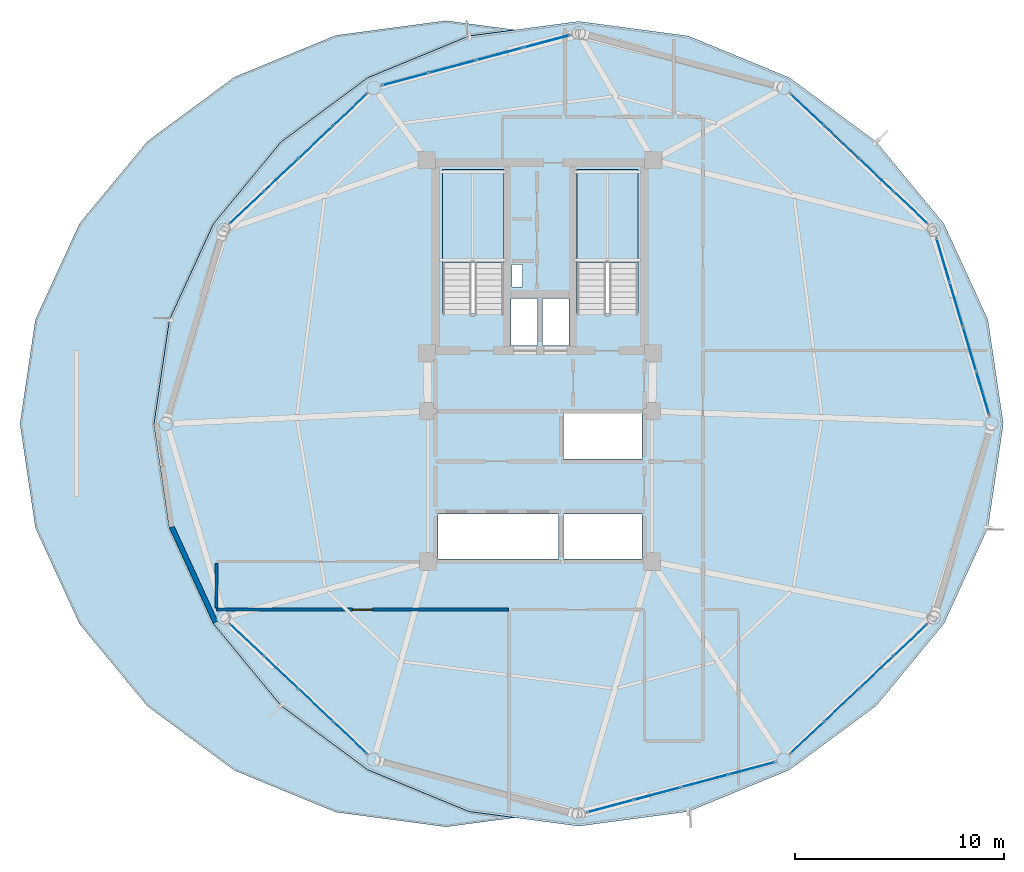
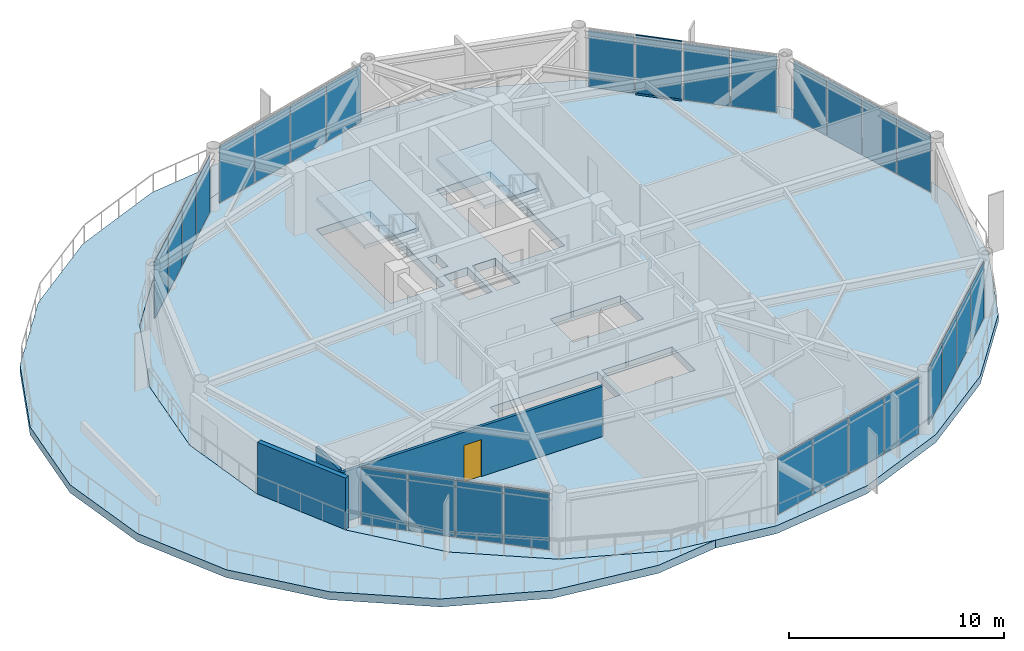
# One storey, part 19 of 25: 28 plates, 4 slabs, 3 walls, 2 members, 1 door, 1 opening, 9 elements without a shape of their own.
"""IFC4 building model written with IfcOpenShell, lengths in metres."""

from ifc_helpers import new_model, si_unit, direction, frame, frame_2d, origin, origin_2d, place, context, subcontext, project, spatial, polyline, rectangle, hollow_rectangle, outline, extrude, source, transform, mapped, material, layer, layer_set, material_profile, profile_set, type_object, type_shapes, element, fill, aggregate, save


model = new_model("IFC4")

# Units and contexts
model_context = context("Model", 3, precision=1e-05, world=origin(), true_north=direction((0.0, 1.0)))
body_context = subcontext(model_context, "Body", "Model", "MODEL_VIEW")
ifc_project = project(units=[si_unit("LENGTHUNIT", "METRE"), si_unit("AREAUNIT", "SQUARE_METRE"), si_unit("VOLUMEUNIT", "CUBIC_METRE"), si_unit("PLANEANGLEUNIT", "RADIAN"), si_unit("MASSUNIT", "GRAM", prefix="KILO")], contexts=[model_context])

# Site, building, storey
site_placement = place(None, origin())
site = spatial("IfcSite", under=ifc_project, at=site_placement, CompositionType="ELEMENT")
building_placement = place(site_placement, origin())
building = spatial("IfcBuilding", under=site, at=building_placement, Name="Varnakorn Sky Granary", CompositionType="ELEMENT")
storey_placement = place(building_placement, frame((0.0, 0.0, 178.800048828125)))
storey = spatial("IfcBuildingStorey", under=building, at=storey_placement, Name="L44", CompositionType="ELEMENT", Elevation=178.800048828125)

# Curtain wall, members
ifc_material_1 = material(Name="Anodised Bronze Aluminium Alloy 6063-T6", Category="aluminium")
ifc_layer_1 = layer(ifc_material_1, 0.169921875, Name="Anodised Bronze Aluminium Alloy 6063-T6")
ifc_layer_set_1 = layer_set([ifc_layer_1], Name="Anodised Bronze Aluminium Alloy 6063-T6")
curtain_wall_type = type_object("IfcCurtainWallType", Name="CW-LAB-1", PredefinedType="USERDEFINED", material=ifc_layer_set_1)
curtain_wall_1_placement = place(storey_placement, origin())
curtain_wall_1 = element("IfcCurtainWall", 1, at=curtain_wall_1_placement, inside=storey, type_object=curtain_wall_type, Name="Unitised Curtain Wall CW5 CW-L44-B02", ObjectType="CURTAIN WALL", PredefinedType="USERDEFINED")
ifc_material_profile = material_profile(ifc_material_1, hollow_rectangle(XDim=0.070068359375, YDim=0.139892578125, WallThickness=0.00341796875, at=origin_2d()), Name="ALU TRAN 70x140")
ifc_profile_set = profile_set([ifc_material_profile], Name="Anodised Bronze Aluminium Alloy 6063-T6")
member_type = type_object("IfcMemberType", Name="CW-LAB-1-TRAN", PredefinedType="USERDEFINED", material=ifc_profile_set)
member_1_placement = place(storey_placement, frame((16.63671875, 14.235107421875, 0.034912109375), z_axis=(0.726511552845, -0.68715425021, 0.0), x_axis=(0.68715425021, 0.726511552845, 0.0)))
member_1 = element("IfcMember", 2, at=member_1_placement, type_object=member_type, Name="CW5 transom 2.1", ObjectType="TRANSOM", PredefinedType="USERDEFINED", context=body_context, shape_type="SweptSolid", body=[
    extrude(hollow_rectangle(XDim=0.070068359375, YDim=0.139892578125, WallThickness=0.00341796875, at=origin_2d()), origin(), (0.0, 0.0, 1.0), 2.214599609375),
])
member_2_placement = place(storey_placement, frame((16.63671875, 14.235107421875, 3.324951171875), z_axis=(0.726511552845, -0.68715425021, 0.0), x_axis=(0.68715425021, 0.726511552845, 0.0)))
member_2 = element("IfcMember", 3, at=member_2_placement, type_object=member_type, Name="CW5 transom 2.2", ObjectType="TRANSOM", PredefinedType="USERDEFINED", context=body_context, shape_type="SweptSolid", body=[
    extrude(hollow_rectangle(XDim=0.070068359375, YDim=0.139892578125, WallThickness=0.00341796875, at=origin_2d()), origin(), (0.0, 0.0, 1.0), 2.214599609375),
])

# Stair, slab
ifc_material_2 = material(Name="Concrete C40/50", Category="concrete")
stair_type = type_object("IfcStairType", Name="ST-MAIN-ASSEMBLY", PredefinedType="HALF_TURN_STAIR", material=ifc_material_2)
stair_1_placement = place(storey_placement, origin())
stair_1 = element("IfcStair", 4, at=stair_1_placement, inside=storey, type_object=stair_type, Name="L44 Protected Exit Stair ST-1", PredefinedType="HALF_TURN_STAIR")
ifc_layer_2 = layer(ifc_material_2, 0.199951171875, Name="Concrete C40/50")
ifc_layer_set_2 = layer_set([ifc_layer_2], Name="Concrete C40/50")
slab_type_1 = type_object("IfcSlabType", Name="ST-MAIN-LAND", PredefinedType="LANDING", material=ifc_layer_set_2)
slab_1_placement = place(storey_placement, frame((0.0, 0.0, 1.599853515625)))
slab_1 = element("IfcSlab", 5, at=slab_1_placement, type_object=slab_type_1, Name="ST-1 landing 1", PredefinedType="LANDING", context=body_context, shape_type="SweptSolid", body=[
    extrude(outline(polyline([(1.239990234375, 7.719970703125), (1.239990234375, 12.179931640625), (-1.669921875, 12.179931640625), (-1.669921875, 7.719970703125), (1.239990234375, 7.719970703125)])), origin(), (0.0, 0.0, 1.0), 0.2001953125),
])
aggregate(stair_1, [slab_1])

stair_2_placement = place(storey_placement, origin())
stair_2 = element("IfcStair", 6, at=stair_2_placement, inside=storey, type_object=stair_type, Name="L44 Protected Exit Stair ST-2", PredefinedType="HALF_TURN_STAIR")
slab_2_placement = place(storey_placement, frame((0.0, 0.0, 1.599853515625)))
slab_2 = element("IfcSlab", 7, at=slab_2_placement, type_object=slab_type_1, Name="ST-2 landing 1", PredefinedType="LANDING", context=body_context, shape_type="SweptSolid", body=[
    extrude(outline(polyline([(7.679931640625, 7.719970703125), (7.679931640625, 12.179931640625), (4.77001953125, 12.179931640625), (4.77001953125, 7.719970703125), (7.679931640625, 7.719970703125)])), origin(), (0.0, 0.0, 1.0), 0.2001953125),
])
aggregate(stair_2, [slab_2])

# Slabs
ifc_material_3 = material(Name="Concrete C60/75", Category="concrete")
ifc_layer_3 = layer(ifc_material_3, 0.449951171875, Name="Concrete C60/75")
ifc_layer_set_3 = layer_set([ifc_layer_3], Name="Concrete C60/75")
slab_type_2 = type_object("IfcSlabType", Name="ST-SL-XFER-450", PredefinedType="FLOOR", material=ifc_layer_set_3)
slab_3_placement = place(storey_placement, frame((0.0, 0.0, -0.449951171875)))
element("IfcSlab", 8, at=slab_3_placement, inside=storey, type_object=slab_type_2, Name="Level L44 Structural Floor Slab", PredefinedType="FLOOR", context=body_context, shape_type="SweptSolid", body=[
    extrude(outline(polyline([(25.181884765625, 0.0), (24.44580078125, 4.974853515625), (22.341064453125, 9.5654296875), (19.099609375, 13.495849609375), (14.948486328125, 16.56787109375), (10.1005859375, 18.566162109375), (4.85009765625, 19.26611328125), (-0.400634765625, 18.566162109375), (-5.24853515625, 16.56787109375), (-9.399658203125, 13.495849609375), (-12.64111328125, 9.5654296875), (-14.74560546875, 4.974853515625), (-15.48193359375, 0.0), (-14.74560546875, -4.974853515625), (-12.64111328125, -9.5654296875), (-9.399658203125, -13.495849609375), (-5.24853515625, -16.56787109375), (-0.400634765625, -18.566162109375), (4.85009765625, -19.26611328125), (10.1005859375, -18.566162109375), (14.948486328125, -16.56787109375), (19.099609375, -13.495849609375), (22.341064453125, -9.5654296875), (24.44580078125, -4.974853515625), (25.181884765625, 0.0)]), holes=[polyline([(1.239990234375, 5.27490234375), (1.239990234375, 12.179931640625), (-1.669921875, 12.179931640625), (-1.669921875, 5.27490234375), (1.239990234375, 5.27490234375)]), polyline([(7.679931640625, 5.27490234375), (7.679931640625, 12.179931640625), (4.77001953125, 12.179931640625), (4.77001953125, 5.27490234375), (7.679931640625, 5.27490234375)]), polyline([(1.659912109375, 6.550048828125), (2.14990234375, 6.550048828125), (2.14990234375, 7.6201171875), (1.659912109375, 7.6201171875), (1.659912109375, 6.550048828125)]), polyline([(1.6201171875, 3.739990234375), (2.8798828125, 3.739990234375), (2.8798828125, 6.010009765625), (1.6201171875, 6.010009765625), (1.6201171875, 3.739990234375)]), polyline([(3.1201171875, 3.739990234375), (4.3798828125, 3.739990234375), (4.3798828125, 6.010009765625), (3.1201171875, 6.010009765625), (3.1201171875, 3.739990234375)]), polyline([(4.1201171875, -1.679931640625), (7.8798828125, -1.679931640625), (7.8798828125, 0.47998046875), (4.1201171875, 0.47998046875), (4.1201171875, -1.679931640625)]), polyline([(-1.8798828125, -6.47998046875), (3.8798828125, -6.47998046875), (3.8798828125, -4.320068359375), (-1.8798828125, -4.320068359375), (-1.8798828125, -6.47998046875)]), polyline([(4.1201171875, -6.47998046875), (7.8798828125, -6.47998046875), (7.8798828125, -4.320068359375), (4.1201171875, -4.320068359375), (4.1201171875, -6.47998046875)])]), origin(), (0.0, 0.0, 1.0), 0.449951171875),
])
slab_4_placement = place(storey_placement, frame((0.0, 0.0, -0.449951171875)))
element("IfcSlab", 9, at=slab_4_placement, inside=storey, type_object=slab_type_2, Name="Shifted-Drum Crescent Sky-Garden Terrace L44", PredefinedType="FLOOR", context=body_context, shape_type="SweptSolid", body=[
    extrude(outline(polyline([(-1.5, -19.300048828125), (-6.768310546875, -18.598876953125), (-11.632568359375, -16.597412109375), (-15.797607421875, -13.52001953125), (-19.050048828125, -9.58251953125), (-21.161376953125, -4.983642578125), (-21.89990234375, 0.0), (-21.161376953125, 4.983642578125), (-19.050048828125, 9.58251953125), (-15.797607421875, 13.52001953125), (-11.632568359375, 16.597412109375), (-6.768310546875, 18.598876953125), (-1.5, 19.300048828125), (1.80517578125, 18.860107421875), (-0.400634765625, 18.566162109375), (-5.24853515625, 16.56787109375), (-9.399658203125, 13.495849609375), (-12.64111328125, 9.5654296875), (-14.74560546875, 4.974853515625), (-15.48193359375, 0.0), (-14.74560546875, -4.974853515625), (-12.64111328125, -9.5654296875), (-9.399658203125, -13.495849609375), (-5.24853515625, -16.56787109375), (-0.400634765625, -18.566162109375), (1.80517578125, -18.860107421875), (-1.5, -19.300048828125)])), origin(), (0.0, 0.0, 1.0), 0.449951171875),
])

# Curtain wall, plates
curtain_wall_2_placement = place(storey_placement, origin())
curtain_wall_2 = element("IfcCurtainWall", 10, at=curtain_wall_2_placement, inside=storey, type_object=curtain_wall_type, Name="Unitised Curtain Wall CW5 CW-L44-B01", ObjectType="CURTAIN WALL", PredefinedType="USERDEFINED")
ifc_material_4 = material(Name="Opaque Insulated Aluminium Shadow-Box Unit", Category="aluminium")
ifc_layer_4 = layer(ifc_material_4, 0.033935546875, Name="Opaque Insulated Aluminium Shadow-Box Unit")
ifc_layer_set_4 = layer_set([ifc_layer_4], Name="Opaque Insulated Aluminium Shadow-Box Unit")
plate_type = type_object("IfcPlateType", Name="CW-LAB-1-PNL", PredefinedType="CURTAIN_PANEL")
shared_shape_1 = source(origin(), body_context, "Body", "SweptSolid", [
    extrude(rectangle(XDim=2.130859375, YDim=0.033935546875, at=origin_2d()), origin(), (0.0, 0.0, 1.0), 3.219970703125),
])
plate_1_placement = place(storey_placement, frame((22.298828125, 7.833251953125, 0.06982421875), z_axis=(0.0, 0.0, 1.0), x_axis=(0.285466940034, -0.958388556979, 0.0)))
plate_1 = element("IfcPlate", 11, at=plate_1_placement, type_object=plate_type, material=ifc_layer_set_4, Name="CW5 opaque insulated shadow-box unit 1.1", PredefinedType="CURTAIN_PANEL", context=body_context, shape_type="MappedRepresentation", body=[
    mapped(shared_shape_1, transform((0.0, 0.0, 0.0), x_axis=(1.0, 0.0, 0.0), y_axis=(0.0, 1.0, 0.0), z_axis=(0.0, 0.0, 1.0), scale=1.0)),
])
ifc_material_5 = material(Name="Low-E Tinted Laminated Glass", Category="glass")
ifc_layer_5 = layer(ifc_material_5, 0.033935546875, Name="Low-E Tinted Laminated Glass")
ifc_layer_set_5 = layer_set([ifc_layer_5], Name="Low-E Tinted Laminated Glass")
plate_2_placement = place(storey_placement, frame((24.197998046875, 1.457275390625, 0.06982421875), z_axis=(0.0, 0.0, 1.0), x_axis=(0.285466940034, -0.958388556979, 0.0)))
plate_2 = element("IfcPlate", 12, at=plate_2_placement, type_object=plate_type, material=ifc_layer_set_5, Name="CW5 vision glazing unit 4.1", PredefinedType="CURTAIN_PANEL", context=body_context, shape_type="MappedRepresentation", body=[
    mapped(shared_shape_1, transform((0.0, 0.0, 0.0), x_axis=(1.0, 0.0, 0.0), y_axis=(0.0, 1.0, 0.0), z_axis=(0.0, 0.0, 1.0), scale=1.0)),
])
shared_shape_2 = source(origin(), body_context, "Body", "SweptSolid", [
    extrude(rectangle(XDim=2.16357421875, YDim=0.033935546875, at=origin_2d()), origin(), (0.0, 0.0, 1.0), 3.219970703125),
])
plate_3_placement = place(storey_placement, frame((22.930419921875, 5.713134765625, 0.06982421875), z_axis=(0.0, 0.0, 1.0), x_axis=(0.285466940034, -0.958388556979, 0.0)))
plate_3 = element("IfcPlate", 13, at=plate_3_placement, type_object=plate_type, material=ifc_layer_set_4, Name="CW5 opaque insulated shadow-box unit 2.1", PredefinedType="CURTAIN_PANEL", context=body_context, shape_type="MappedRepresentation", body=[
    mapped(shared_shape_2, transform((0.0, 0.0, 0.0), x_axis=(1.0, 0.0, 0.0), y_axis=(0.0, 1.0, 0.0), z_axis=(0.0, 0.0, 1.0), scale=1.0)),
])
plate_4_placement = place(storey_placement, frame((23.56640625, 3.577392578125, 0.06982421875), z_axis=(0.0, 0.0, 1.0), x_axis=(0.285466940034, -0.958388556979, 0.0)))
plate_4 = element("IfcPlate", 14, at=plate_4_placement, type_object=plate_type, material=ifc_layer_set_5, Name="CW5 vision glazing unit 3.1", PredefinedType="CURTAIN_PANEL", context=body_context, shape_type="MappedRepresentation", body=[
    mapped(shared_shape_2, transform((0.0, 0.0, 0.0), x_axis=(1.0, 0.0, 0.0), y_axis=(0.0, 1.0, 0.0), z_axis=(0.0, 0.0, 1.0), scale=1.0)),
])
aggregate(curtain_wall_2, [plate_1, plate_3, plate_4, plate_2])

# Plate
shared_shape_3 = source(origin(), body_context, "Body", "SweptSolid", [
    extrude(rectangle(XDim=2.181884765625, YDim=0.033935546875, at=origin_2d()), origin(), (0.0, 0.0, 1.0), 3.219970703125),
])
plate_5_placement = place(storey_placement, frame((15.796875, 15.029296875, 0.06982421875), z_axis=(0.0, 0.0, 1.0), x_axis=(0.726540627494, -0.687123508986, 0.0)))
plate_5 = element("IfcPlate", 15, at=plate_5_placement, type_object=plate_type, material=ifc_layer_set_5, Name="CW5 vision glazing unit 1.1", PredefinedType="CURTAIN_PANEL", context=body_context, shape_type="MappedRepresentation", body=[
    mapped(shared_shape_3, transform((0.0, 0.0, 0.0), x_axis=(1.0, 0.0, 0.0), y_axis=(0.0, 1.0, 0.0), z_axis=(0.0, 0.0, 1.0), scale=1.0)),
])

plate_6_placement = place(storey_placement, frame((20.741455078125, 10.352783203125, 0.06982421875), z_axis=(0.0, 0.0, 1.0), x_axis=(0.726540627494, -0.687123508986, 0.0)))
plate_6 = element("IfcPlate", 16, at=plate_6_placement, type_object=plate_type, material=ifc_layer_set_4, Name="CW5 opaque insulated shadow-box unit 4.1", PredefinedType="CURTAIN_PANEL", context=body_context, shape_type="MappedRepresentation", body=[
    mapped(shared_shape_3, transform((0.0, 0.0, 0.0), x_axis=(1.0, 0.0, 0.0), y_axis=(0.0, 1.0, 0.0), z_axis=(0.0, 0.0, 1.0), scale=1.0)),
])

# Curtain wall, plates
curtain_wall_3_placement = place(storey_placement, origin())
curtain_wall_3 = element("IfcCurtainWall", 17, at=curtain_wall_3_placement, inside=storey, type_object=curtain_wall_type, Name="Unitised Curtain Wall CW5 CW-L44-B05", ObjectType="CURTAIN WALL", PredefinedType="USERDEFINED")
plate_7_placement = place(storey_placement, frame((-11.04150390625, 10.352783203125, 0.06982421875), z_axis=(0.0, 0.0, 1.0), x_axis=(0.726540627494, 0.687123508986, 0.0)))
plate_7 = element("IfcPlate", 18, at=plate_7_placement, type_object=plate_type, material=ifc_layer_set_4, Name="CW5 opaque insulated shadow-box unit 1.1", PredefinedType="CURTAIN_PANEL", context=body_context, shape_type="MappedRepresentation", body=[
    mapped(shared_shape_3, transform((0.0, 0.0, 0.0), x_axis=(1.0, 0.0, 0.0), y_axis=(0.0, 1.0, 0.0), z_axis=(0.0, 0.0, 1.0), scale=1.0)),
])
plate_8_placement = place(storey_placement, frame((-6.0966796875, 15.029296875, 0.06982421875), z_axis=(0.0, 0.0, 1.0), x_axis=(0.726540627494, 0.687123508986, 0.0)))
plate_8 = element("IfcPlate", 19, at=plate_8_placement, type_object=plate_type, material=ifc_layer_set_5, Name="CW5 vision glazing unit 4.1", PredefinedType="CURTAIN_PANEL", context=body_context, shape_type="MappedRepresentation", body=[
    mapped(shared_shape_3, transform((0.0, 0.0, 0.0), x_axis=(1.0, 0.0, 0.0), y_axis=(0.0, 1.0, 0.0), z_axis=(0.0, 0.0, 1.0), scale=1.0)),
])

curtain_wall_4_placement = place(storey_placement, origin())
curtain_wall_4 = element("IfcCurtainWall", 20, at=curtain_wall_4_placement, inside=storey, type_object=curtain_wall_type, Name="Unitised Curtain Wall CW5 CW-L44-B08", ObjectType="CURTAIN WALL", PredefinedType="USERDEFINED")
plate_9_placement = place(storey_placement, frame((-6.0966796875, -15.029296875, 0.06982421875), z_axis=(0.0, 0.0, 1.0), x_axis=(-0.726540627494, 0.687123508986, 0.0)))
plate_9 = element("IfcPlate", 21, at=plate_9_placement, type_object=plate_type, material=ifc_layer_set_5, Name="CW5 vision glazing unit 1.1", PredefinedType="CURTAIN_PANEL", context=body_context, shape_type="MappedRepresentation", body=[
    mapped(shared_shape_3, transform((0.0, 0.0, 0.0), x_axis=(1.0, 0.0, 0.0), y_axis=(0.0, 1.0, 0.0), z_axis=(0.0, 0.0, 1.0), scale=1.0)),
])
plate_10_placement = place(storey_placement, frame((-11.04150390625, -10.352783203125, 0.06982421875), z_axis=(0.0, 0.0, 1.0), x_axis=(-0.726540627494, 0.687123508986, 0.0)))
plate_10 = element("IfcPlate", 22, at=plate_10_placement, type_object=plate_type, material=ifc_layer_set_4, Name="CW5 opaque insulated shadow-box unit 4.1", PredefinedType="CURTAIN_PANEL", context=body_context, shape_type="MappedRepresentation", body=[
    mapped(shared_shape_3, transform((0.0, 0.0, 0.0), x_axis=(1.0, 0.0, 0.0), y_axis=(0.0, 1.0, 0.0), z_axis=(0.0, 0.0, 1.0), scale=1.0)),
])

curtain_wall_5_placement = place(storey_placement, origin())
curtain_wall_5 = element("IfcCurtainWall", 23, at=curtain_wall_5_placement, inside=storey, type_object=curtain_wall_type, Name="Unitised Curtain Wall CW5 CW-L44-B11", ObjectType="CURTAIN WALL", PredefinedType="USERDEFINED")
plate_11_placement = place(storey_placement, frame((20.741455078125, -10.352783203125, 0.06982421875), z_axis=(0.0, 0.0, 1.0), x_axis=(-0.726540627494, -0.687123508986, 0.0)))
plate_11 = element("IfcPlate", 24, at=plate_11_placement, type_object=plate_type, material=ifc_layer_set_4, Name="CW5 opaque insulated shadow-box unit 1.1", PredefinedType="CURTAIN_PANEL", context=body_context, shape_type="MappedRepresentation", body=[
    mapped(shared_shape_3, transform((0.0, 0.0, 0.0), x_axis=(1.0, 0.0, 0.0), y_axis=(0.0, 1.0, 0.0), z_axis=(0.0, 0.0, 1.0), scale=1.0)),
])
plate_12_placement = place(storey_placement, frame((15.796875, -15.029296875, 0.06982421875), z_axis=(0.0, 0.0, 1.0), x_axis=(-0.726540627494, -0.687123508986, 0.0)))
plate_12 = element("IfcPlate", 25, at=plate_12_placement, type_object=plate_type, material=ifc_layer_set_5, Name="CW5 vision glazing unit 4.1", PredefinedType="CURTAIN_PANEL", context=body_context, shape_type="MappedRepresentation", body=[
    mapped(shared_shape_3, transform((0.0, 0.0, 0.0), x_axis=(1.0, 0.0, 0.0), y_axis=(0.0, 1.0, 0.0), z_axis=(0.0, 0.0, 1.0), scale=1.0)),
])

# Plate
shared_shape_4 = source(origin(), body_context, "Body", "SweptSolid", [
    extrude(rectangle(XDim=2.21435546875, YDim=0.033935546875, at=origin_2d()), origin(), (0.0, 0.0, 1.0), 3.219970703125),
])
plate_13_placement = place(storey_placement, frame((17.441162109375, 13.47412109375, 0.06982421875), z_axis=(0.0, 0.0, 1.0), x_axis=(0.726540627494, -0.687123508986, 0.0)))
plate_13 = element("IfcPlate", 26, at=plate_13_placement, type_object=plate_type, material=ifc_layer_set_5, Name="CW5 vision glazing unit 2.1", PredefinedType="CURTAIN_PANEL", context=body_context, shape_type="MappedRepresentation", body=[
    mapped(shared_shape_4, transform((0.0, 0.0, 0.0), x_axis=(1.0, 0.0, 0.0), y_axis=(0.0, 1.0, 0.0), z_axis=(0.0, 0.0, 1.0), scale=1.0)),
])

plate_14_placement = place(storey_placement, frame((19.09716796875, 11.907958984375, 0.06982421875), z_axis=(0.0, 0.0, 1.0), x_axis=(0.726540627494, -0.687123508986, 0.0)))
plate_14 = element("IfcPlate", 27, at=plate_14_placement, type_object=plate_type, material=ifc_layer_set_4, Name="CW5 opaque insulated shadow-box unit 3.1", PredefinedType="CURTAIN_PANEL", context=body_context, shape_type="MappedRepresentation", body=[
    mapped(shared_shape_4, transform((0.0, 0.0, 0.0), x_axis=(1.0, 0.0, 0.0), y_axis=(0.0, 1.0, 0.0), z_axis=(0.0, 0.0, 1.0), scale=1.0)),
])

aggregate(curtain_wall_1, [plate_5, member_1, member_2, plate_13, plate_14, plate_6])

plate_15_placement = place(storey_placement, frame((-9.397216796875, 11.907958984375, 0.06982421875), z_axis=(0.0, 0.0, 1.0), x_axis=(0.726540627494, 0.687123508986, 0.0)))
plate_15 = element("IfcPlate", 28, at=plate_15_placement, type_object=plate_type, material=ifc_layer_set_4, Name="CW5 opaque insulated shadow-box unit 2.1", PredefinedType="CURTAIN_PANEL", context=body_context, shape_type="MappedRepresentation", body=[
    mapped(shared_shape_4, transform((0.0, 0.0, 0.0), x_axis=(1.0, 0.0, 0.0), y_axis=(0.0, 1.0, 0.0), z_axis=(0.0, 0.0, 1.0), scale=1.0)),
])

plate_16_placement = place(storey_placement, frame((-7.740966796875, 13.47412109375, 0.06982421875), z_axis=(0.0, 0.0, 1.0), x_axis=(0.726540627494, 0.687123508986, 0.0)))
plate_16 = element("IfcPlate", 29, at=plate_16_placement, type_object=plate_type, material=ifc_layer_set_5, Name="CW5 vision glazing unit 3.1", PredefinedType="CURTAIN_PANEL", context=body_context, shape_type="MappedRepresentation", body=[
    mapped(shared_shape_4, transform((0.0, 0.0, 0.0), x_axis=(1.0, 0.0, 0.0), y_axis=(0.0, 1.0, 0.0), z_axis=(0.0, 0.0, 1.0), scale=1.0)),
])

aggregate(curtain_wall_3, [plate_7, plate_15, plate_16, plate_8])

plate_17_placement = place(storey_placement, frame((-7.740966796875, -13.47412109375, 0.06982421875), z_axis=(0.0, 0.0, 1.0), x_axis=(-0.726540627494, 0.687123508986, 0.0)))
plate_17 = element("IfcPlate", 30, at=plate_17_placement, type_object=plate_type, material=ifc_layer_set_5, Name="CW5 vision glazing unit 2.1", PredefinedType="CURTAIN_PANEL", context=body_context, shape_type="MappedRepresentation", body=[
    mapped(shared_shape_4, transform((0.0, 0.0, 0.0), x_axis=(1.0, 0.0, 0.0), y_axis=(0.0, 1.0, 0.0), z_axis=(0.0, 0.0, 1.0), scale=1.0)),
])

plate_18_placement = place(storey_placement, frame((-9.397216796875, -11.907958984375, 0.06982421875), z_axis=(0.0, 0.0, 1.0), x_axis=(-0.726540627494, 0.687123508986, 0.0)))
plate_18 = element("IfcPlate", 31, at=plate_18_placement, type_object=plate_type, material=ifc_layer_set_4, Name="CW5 opaque insulated shadow-box unit 3.1", PredefinedType="CURTAIN_PANEL", context=body_context, shape_type="MappedRepresentation", body=[
    mapped(shared_shape_4, transform((0.0, 0.0, 0.0), x_axis=(1.0, 0.0, 0.0), y_axis=(0.0, 1.0, 0.0), z_axis=(0.0, 0.0, 1.0), scale=1.0)),
])

aggregate(curtain_wall_4, [plate_9, plate_17, plate_18, plate_10])

plate_19_placement = place(storey_placement, frame((19.09716796875, -11.907958984375, 0.06982421875), z_axis=(0.0, 0.0, 1.0), x_axis=(-0.726540627494, -0.687123508986, 0.0)))
plate_19 = element("IfcPlate", 32, at=plate_19_placement, type_object=plate_type, material=ifc_layer_set_4, Name="CW5 opaque insulated shadow-box unit 2.1", PredefinedType="CURTAIN_PANEL", context=body_context, shape_type="MappedRepresentation", body=[
    mapped(shared_shape_4, transform((0.0, 0.0, 0.0), x_axis=(1.0, 0.0, 0.0), y_axis=(0.0, 1.0, 0.0), z_axis=(0.0, 0.0, 1.0), scale=1.0)),
])

plate_20_placement = place(storey_placement, frame((17.441162109375, -13.47412109375, 0.06982421875), z_axis=(0.0, 0.0, 1.0), x_axis=(-0.726540627494, -0.687123508986, 0.0)))
plate_20 = element("IfcPlate", 33, at=plate_20_placement, type_object=plate_type, material=ifc_layer_set_5, Name="CW5 vision glazing unit 3.1", PredefinedType="CURTAIN_PANEL", context=body_context, shape_type="MappedRepresentation", body=[
    mapped(shared_shape_4, transform((0.0, 0.0, 0.0), x_axis=(1.0, 0.0, 0.0), y_axis=(0.0, 1.0, 0.0), z_axis=(0.0, 0.0, 1.0), scale=1.0)),
])

aggregate(curtain_wall_5, [plate_11, plate_19, plate_20, plate_12])

# Curtain wall, plates
curtain_wall_6_placement = place(storey_placement, origin())
curtain_wall_6 = element("IfcCurtainWall", 34, at=curtain_wall_6_placement, inside=storey, type_object=curtain_wall_type, Name="Unitised Curtain Wall CW5 CW-L44-B04", ObjectType="CURTAIN WALL", PredefinedType="USERDEFINED")
shared_shape_5 = source(origin(), body_context, "Body", "SweptSolid", [
    extrude(rectangle(XDim=2.24951171875, YDim=0.033935546875, at=origin_2d()), origin(), (0.0, 0.0, 1.0), 3.219970703125),
])
plate_21_placement = place(storey_placement, frame((-3.447265625, 16.499267578125, 0.06982421875), z_axis=(0.0, 0.0, 1.0), x_axis=(0.966119218068, 0.258096215547, 0.0)))
plate_21 = element("IfcPlate", 35, at=plate_21_placement, type_object=plate_type, material=ifc_layer_set_5, Name="CW5 vision glazing unit 1.1", PredefinedType="CURTAIN_PANEL", context=body_context, shape_type="MappedRepresentation", body=[
    mapped(shared_shape_5, transform((0.0, 0.0, 0.0), x_axis=(1.0, 0.0, 0.0), y_axis=(0.0, 1.0, 0.0), z_axis=(0.0, 0.0, 1.0), scale=1.0)),
])
plate_22_placement = place(storey_placement, frame((3.32373046875, 18.308349609375, 0.06982421875), z_axis=(0.0, 0.0, 1.0), x_axis=(0.966119218068, 0.258096215547, 0.0)))
plate_22 = element("IfcPlate", 36, at=plate_22_placement, type_object=plate_type, material=ifc_layer_set_4, Name="CW5 opaque insulated shadow-box unit 4.1", PredefinedType="CURTAIN_PANEL", context=body_context, shape_type="MappedRepresentation", body=[
    mapped(shared_shape_5, transform((0.0, 0.0, 0.0), x_axis=(1.0, 0.0, 0.0), y_axis=(0.0, 1.0, 0.0), z_axis=(0.0, 0.0, 1.0), scale=1.0)),
])

curtain_wall_7_placement = place(storey_placement, origin())
curtain_wall_7 = element("IfcCurtainWall", 37, at=curtain_wall_7_placement, inside=storey, type_object=curtain_wall_type, Name="Unitised Curtain Wall CW5 CW-L44-B10", ObjectType="CURTAIN WALL", PredefinedType="USERDEFINED")
plate_23_placement = place(storey_placement, frame((13.147216796875, -16.499267578125, 0.06982421875), z_axis=(0.0, 0.0, 1.0), x_axis=(-0.966119218068, -0.258096215547, 0.0)))
plate_23 = element("IfcPlate", 38, at=plate_23_placement, type_object=plate_type, material=ifc_layer_set_5, Name="CW5 vision glazing unit 1.1", PredefinedType="CURTAIN_PANEL", context=body_context, shape_type="MappedRepresentation", body=[
    mapped(shared_shape_5, transform((0.0, 0.0, 0.0), x_axis=(1.0, 0.0, 0.0), y_axis=(0.0, 1.0, 0.0), z_axis=(0.0, 0.0, 1.0), scale=1.0)),
])
plate_24_placement = place(storey_placement, frame((6.376220703125, -18.308349609375, 0.06982421875), z_axis=(0.0, 0.0, 1.0), x_axis=(-0.966119218068, -0.258096215547, 0.0)))
plate_24 = element("IfcPlate", 39, at=plate_24_placement, type_object=plate_type, material=ifc_layer_set_4, Name="CW5 opaque insulated shadow-box unit 4.1", PredefinedType="CURTAIN_PANEL", context=body_context, shape_type="MappedRepresentation", body=[
    mapped(shared_shape_5, transform((0.0, 0.0, 0.0), x_axis=(1.0, 0.0, 0.0), y_axis=(0.0, 1.0, 0.0), z_axis=(0.0, 0.0, 1.0), scale=1.0)),
])

# Plate
shared_shape_6 = source(origin(), body_context, "Body", "SweptSolid", [
    extrude(rectangle(XDim=2.281982421875, YDim=0.033935546875, at=origin_2d()), origin(), (0.0, 0.0, 1.0), 3.219970703125),
])
type_shapes(plate_type, [shared_shape_1, shared_shape_2, shared_shape_3, shared_shape_4, shared_shape_5, shared_shape_6])
plate_25_placement = place(storey_placement, frame((-1.195556640625, 17.100830078125, 0.06982421875), z_axis=(0.0, 0.0, 1.0), x_axis=(0.966119218068, 0.258096215547, 0.0)))
plate_25 = element("IfcPlate", 40, at=plate_25_placement, type_object=plate_type, material=ifc_layer_set_5, Name="CW5 vision glazing unit 2.1", PredefinedType="CURTAIN_PANEL", context=body_context, shape_type="MappedRepresentation", body=[
    mapped(shared_shape_6, transform((0.0, 0.0, 0.0), x_axis=(1.0, 0.0, 0.0), y_axis=(0.0, 1.0, 0.0), z_axis=(0.0, 0.0, 1.0), scale=1.0)),
])

plate_26_placement = place(storey_placement, frame((1.072021484375, 17.706787109375, 0.06982421875), z_axis=(0.0, 0.0, 1.0), x_axis=(0.966119218068, 0.258096215547, 0.0)))
plate_26 = element("IfcPlate", 41, at=plate_26_placement, type_object=plate_type, material=ifc_layer_set_4, Name="CW5 opaque insulated shadow-box unit 3.1", PredefinedType="CURTAIN_PANEL", context=body_context, shape_type="MappedRepresentation", body=[
    mapped(shared_shape_6, transform((0.0, 0.0, 0.0), x_axis=(1.0, 0.0, 0.0), y_axis=(0.0, 1.0, 0.0), z_axis=(0.0, 0.0, 1.0), scale=1.0)),
])

aggregate(curtain_wall_6, [plate_21, plate_25, plate_26, plate_22])

plate_27_placement = place(storey_placement, frame((10.8955078125, -17.100830078125, 0.06982421875), z_axis=(0.0, 0.0, 1.0), x_axis=(-0.966119218068, -0.258096215547, 0.0)))
plate_27 = element("IfcPlate", 42, at=plate_27_placement, type_object=plate_type, material=ifc_layer_set_5, Name="CW5 vision glazing unit 2.1", PredefinedType="CURTAIN_PANEL", context=body_context, shape_type="MappedRepresentation", body=[
    mapped(shared_shape_6, transform((0.0, 0.0, 0.0), x_axis=(1.0, 0.0, 0.0), y_axis=(0.0, 1.0, 0.0), z_axis=(0.0, 0.0, 1.0), scale=1.0)),
])

plate_28_placement = place(storey_placement, frame((8.6279296875, -17.706787109375, 0.06982421875), z_axis=(0.0, 0.0, 1.0), x_axis=(-0.966119218068, -0.258096215547, 0.0)))
plate_28 = element("IfcPlate", 43, at=plate_28_placement, type_object=plate_type, material=ifc_layer_set_4, Name="CW5 opaque insulated shadow-box unit 3.1", PredefinedType="CURTAIN_PANEL", context=body_context, shape_type="MappedRepresentation", body=[
    mapped(shared_shape_6, transform((0.0, 0.0, 0.0), x_axis=(1.0, 0.0, 0.0), y_axis=(0.0, 1.0, 0.0), z_axis=(0.0, 0.0, 1.0), scale=1.0)),
])

aggregate(curtain_wall_7, [plate_23, plate_27, plate_28, plate_24])

# Wall
ifc_material_6 = material(Name="Precast concrete C40/50", Category="concrete")
ifc_layer_6 = layer(ifc_material_6, 0.239990234375, Name="Precast concrete C40/50")
ifc_layer_set_6 = layer_set([ifc_layer_6], Name="Precast concrete C40/50")
wall_type_1 = type_object("IfcWallType", Name="WT-EW-BAL-260", PredefinedType="SOLIDWALL", material=ifc_layer_set_6)
wall_1_placement = place(storey_placement, frame((-12.537109375, -9.505615234375, 0.0), z_axis=(0.0, 0.0, 1.0), x_axis=(-0.416959519789, 0.908925056788, 0.0)))
element("IfcWall", 44, at=wall_1_placement, inside=storey, type_object=wall_type_1, Name="Balcony Return Facade Wall L44-B07B", PredefinedType="SOLIDWALL", context=body_context, shape_type="SweptSolid", body=[
    extrude(rectangle(XDim=5.01904296875, YDim=0.239990234375, at=frame_2d((2.509521484375, 0.0))), origin(), (0.0, 0.0, 1.0), 2.929931640625),
])

# Wall, opening, door
ifc_material_7 = material(Name="Gypsum Plasterboard on Steel Stud", Category="steel")
ifc_layer_7 = layer(ifc_material_7, 0.14990234375, Name="Gypsum Plasterboard on Steel Stud")
ifc_layer_set_7 = layer_set([ifc_layer_7], Name="Gypsum Plasterboard on Steel Stud")
wall_type_2 = type_object("IfcWallType", Name="WT-PART-150", PredefinedType="PARTITIONING", material=ifc_layer_set_7)
wall_2_placement = place(storey_placement, frame((-12.5, -8.89990234375, 0.0), z_axis=(0.0, 0.0, 1.0), x_axis=(1.0, 0.0, 0.0)))
wall_2 = element("IfcWall", 45, at=wall_2_placement, inside=storey, type_object=wall_type_2, Name="Interior Partition Wall L44-021", PredefinedType="PARTITIONING", context=body_context, shape_type="SweptSolid", body=[
    extrude(rectangle(XDim=14.0, YDim=0.14990234375, at=frame_2d((7.0, 0.0))), origin(), (0.0, 0.0, 1.0), 2.842041015625),
])
opening_placement = place(wall_2_placement, frame((6.52490234375, 0.0, 0.0)))
opening = element("IfcOpeningElement", 46, at=opening_placement, cuts=wall_2, Name="Opening ID-95", PredefinedType="OPENING", context=body_context, shape_type="SweptSolid", body=[
    extrude(rectangle(XDim=0.949951171875, YDim=2.10009765625, at=frame_2d((0.47509765625, 1.050048828125))), frame((0.0, 0.0849609375, 0.0), z_axis=(0.0, -1.0, 0.0), x_axis=(1.0, 0.0, 0.0)), (0.0, 0.0, 1.0), 0.169921875),
])
ifc_material_8 = material(Name="Solid-Core Teak Veneer Leaf", Category="timber")
door_type = type_object("IfcDoorType", Name="DR-INT-950", OperationType="NOTDEFINED", PredefinedType="DOOR", material=ifc_material_8)
door_placement = place(opening_placement, origin())
door = element("IfcDoor", 47, at=door_placement, inside=storey, type_object=door_type, Name="Interior Door L44-021-1", OperationType="SINGLE_SWING_LEFT", OverallHeight=2.10009765625, OverallWidth=0.949951171875, PredefinedType="DOOR", context=body_context, shape_type="SweptSolid", body=[
    extrude(rectangle(XDim=0.949951171875, YDim=2.10009765625, at=frame_2d((0.47509765625, 1.050048828125))), frame((0.0, 0.02490234375, 0.0), z_axis=(0.0, -1.0, 0.0), x_axis=(1.0, 0.0, 0.0)), (0.0, 0.0, 1.0), 0.050048828125),
])
fill(opening, door)

# Wall
wall_3_placement = place(storey_placement, frame((-12.5, -6.68505859375, 0.0), z_axis=(0.0, 0.0, 1.0), x_axis=(0.0, -1.0, 0.0)))
element("IfcWall", 48, at=wall_3_placement, inside=storey, type_object=wall_type_2, Name="Interior Partition Wall L44-038", PredefinedType="PARTITIONING", context=body_context, shape_type="SweptSolid", body=[
    extrude(rectangle(XDim=2.1298828125, YDim=0.14990234375, at=frame_2d((1.06494140625, 0.0))), origin(), (0.0, 0.0, 1.0), 2.94189453125),
])

save(model, "model.ifc")
